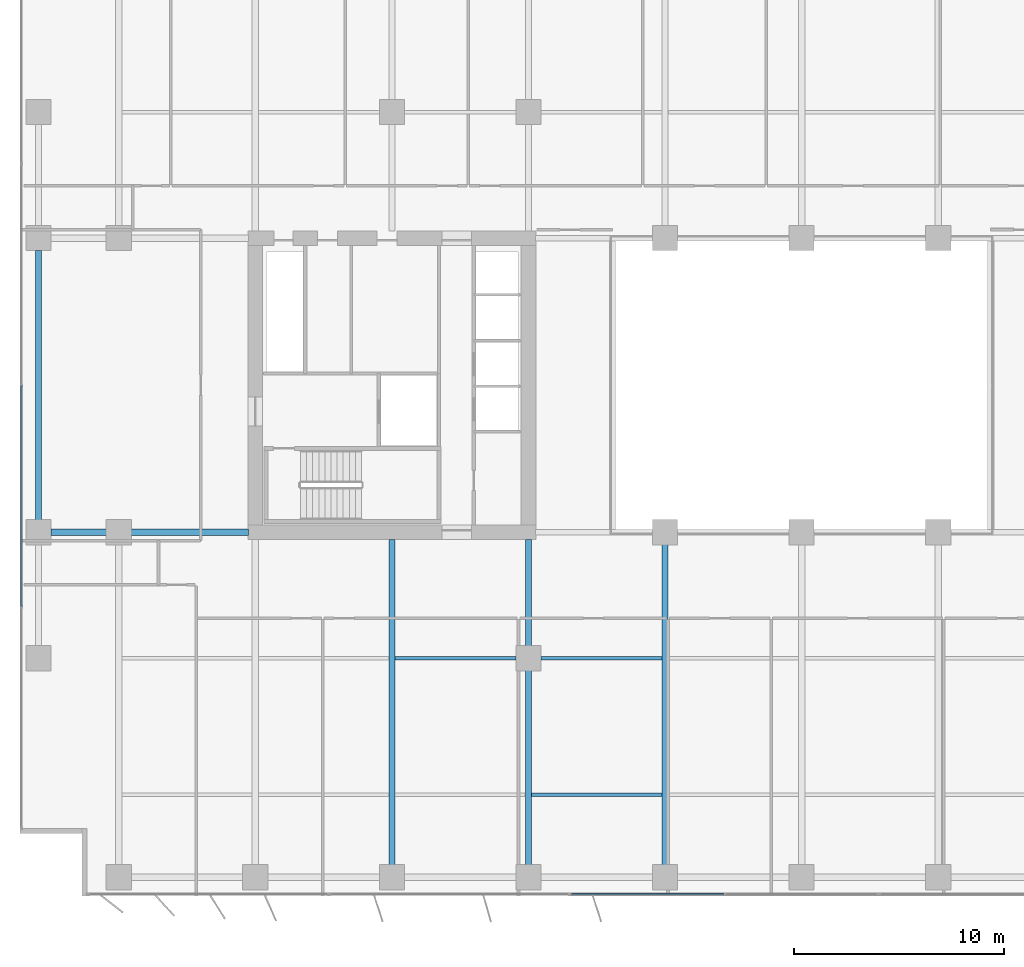
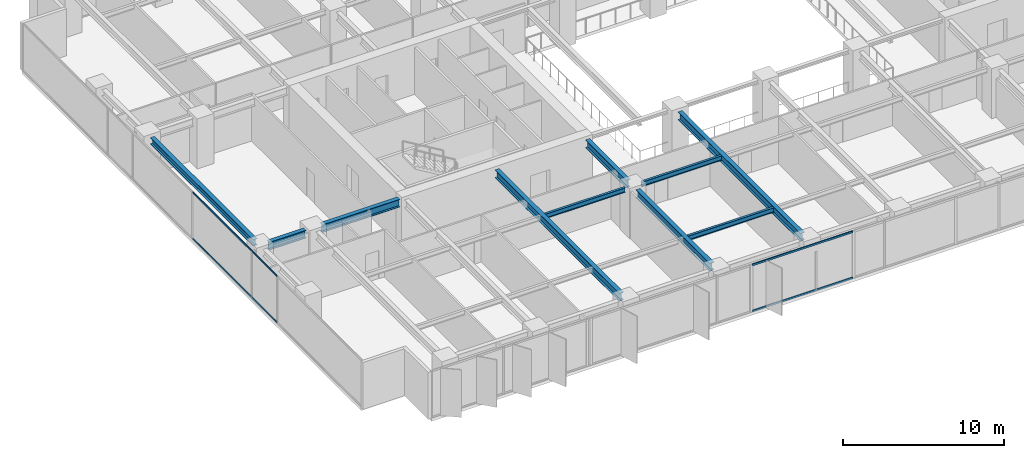
# One storey, part 3 of 20: 10 beams, 4 members, 2 elements without a shape of their own.
"""IFC4 building model written with IfcOpenShell, lengths in metres."""

from ifc_helpers import new_model, si_unit, direction, frame, origin, origin_2d, place, context, subcontext, project, spatial, rectangle, i_section, extrude, material, layer, layer_set, material_profile, profile_set, type_object, element, aggregate, save


model = new_model("IFC4")

# Units and contexts
model_context = context("Model", 3, precision=1e-05, world=origin(), true_north=direction((0.0, 1.0)))
body_context = subcontext(model_context, "Body", "Model", "MODEL_VIEW")
ifc_project = project(units=[si_unit("LENGTHUNIT", "METRE"), si_unit("AREAUNIT", "SQUARE_METRE"), si_unit("VOLUMEUNIT", "CUBIC_METRE"), si_unit("PLANEANGLEUNIT", "RADIAN"), si_unit("MASSUNIT", "GRAM", prefix="KILO")], contexts=[model_context])

# Site, building, storey
site_placement = place(None, origin())
site = spatial("IfcSite", under=ifc_project, at=site_placement, CompositionType="ELEMENT")
building_placement = place(site_placement, origin())
building = spatial("IfcBuilding", under=site, at=building_placement, Name="Putna Gate Headquarters", CompositionType="ELEMENT")
storey_placement = place(building_placement, frame((0.0, 0.0, 127.800048828125)))
storey = spatial("IfcBuildingStorey", under=building, at=storey_placement, Name="L31", CompositionType="ELEMENT", Elevation=127.800048828125)

# Beams
ifc_material_1 = material(Name="Steel S355J2", Category="steel")
ifc_material_profile_1 = material_profile(ifc_material_1, i_section(OverallWidth=0.300048828125, OverallDepth=0.60009765625, WebThickness=0.015380859375, FlangeThickness=0.030029296875, at=origin_2d()), Name="Steel S355J2")
ifc_profile_set_1 = profile_set([ifc_material_profile_1], Name="Steel S355J2")
beam_type_1 = type_object("IfcBeamType", Name="BM-GIRD-Z2-HEB600", PredefinedType="USERDEFINED", material=ifc_profile_set_1)
beam_1_placement = place(storey_placement, frame((3.26806640625, 19.0, 3.264892578125), z_axis=(1.0, 0.0, 0.0), x_axis=(0.0, 1.0, 0.0)))
element("IfcBeam", 1, at=beam_1_placement, inside=storey, type_object=beam_type_1, Name="L31 West Wing Girder Y19-1", ObjectType="GIRDER", PredefinedType="USERDEFINED", context=body_context, shape_type="SweptSolid", body=[
    extrude(i_section(OverallWidth=0.300048828125, OverallDepth=0.60009765625, WebThickness=0.015380859375, FlangeThickness=0.030029296875, at=origin_2d()), origin(), (0.0, 0.0, 1.0), 2.64404296875),
])
beam_2_placement = place(storey_placement, frame((7.087890625, 19.0, 3.264892578125), z_axis=(1.0, 0.0, 0.0), x_axis=(0.0, 1.0, 0.0)))
element("IfcBeam", 2, at=beam_2_placement, inside=storey, type_object=beam_type_1, Name="L31 West Wing Girder Y19-2", ObjectType="GIRDER", PredefinedType="USERDEFINED", context=body_context, shape_type="SweptSolid", body=[
    extrude(i_section(OverallWidth=0.300048828125, OverallDepth=0.60009765625, WebThickness=0.015380859375, FlangeThickness=0.030029296875, at=origin_2d()), origin(), (0.0, 0.0, 1.0), 5.5771484375),
])
beam_3_placement = place(storey_placement, frame((19.5, 3.16796875, 3.264892578125), z_axis=(0.0, 1.0, 0.0), x_axis=(-1.0, 0.0, 0.0)))
element("IfcBeam", 3, at=beam_3_placement, inside=storey, type_object=beam_type_1, Name="L31 South Primary Girder X19", ObjectType="GIRDER", PredefinedType="USERDEFINED", context=body_context, shape_type="SweptSolid", body=[
    extrude(i_section(OverallWidth=0.300048828125, OverallDepth=0.60009765625, WebThickness=0.015380859375, FlangeThickness=0.030029296875, at=origin_2d()), origin(), (0.0, 0.0, 1.0), 15.4970703125),
])
beam_4_placement = place(storey_placement, frame((26.0, 3.16796875, 3.264892578125), z_axis=(0.0, 1.0, 0.0), x_axis=(-1.0, 0.0, 0.0)))
element("IfcBeam", 4, at=beam_4_placement, inside=storey, type_object=beam_type_1, Name="L31 South Primary Girder X26-1", ObjectType="GIRDER", PredefinedType="USERDEFINED", context=body_context, shape_type="SweptSolid", body=[
    extrude(i_section(OverallWidth=0.300048828125, OverallDepth=0.60009765625, WebThickness=0.015380859375, FlangeThickness=0.030029296875, at=origin_2d()), origin(), (0.0, 0.0, 1.0), 9.244140625),
])
beam_5_placement = place(storey_placement, frame((26.0, 13.587890625, 3.264892578125), z_axis=(0.0, 1.0, 0.0), x_axis=(-1.0, 0.0, 0.0)))
element("IfcBeam", 5, at=beam_5_placement, inside=storey, type_object=beam_type_1, Name="L31 South Primary Girder X26-2", ObjectType="GIRDER", PredefinedType="USERDEFINED", context=body_context, shape_type="SweptSolid", body=[
    extrude(i_section(OverallWidth=0.300048828125, OverallDepth=0.60009765625, WebThickness=0.015380859375, FlangeThickness=0.030029296875, at=origin_2d()), origin(), (0.0, 0.0, 1.0), 5.0771484375),
])
beam_6_placement = place(storey_placement, frame((32.5, 3.16796875, 3.264892578125), z_axis=(0.0, 1.0, 0.0), x_axis=(-1.0, 0.0, 0.0)))
element("IfcBeam", 6, at=beam_6_placement, inside=storey, type_object=beam_type_1, Name="L31 South Primary Girder X32", ObjectType="GIRDER", PredefinedType="USERDEFINED", context=body_context, shape_type="SweptSolid", body=[
    extrude(i_section(OverallWidth=0.300048828125, OverallDepth=0.60009765625, WebThickness=0.015380859375, FlangeThickness=0.030029296875, at=origin_2d()), origin(), (0.0, 0.0, 1.0), 15.244140625),
])
ifc_material_profile_2 = material_profile(ifc_material_1, i_section(OverallWidth=0.169921875, OverallDepth=0.360107421875, WebThickness=0.008056640625, FlangeThickness=0.0126953125, at=origin_2d()), Name="Steel S355J2")
ifc_profile_set_2 = profile_set([ifc_material_profile_2], Name="Steel S355J2")
beam_type_2 = type_object("IfcBeamType", Name="BM-SEC-Z2-IPE360", PredefinedType="BEAM", material=ifc_profile_set_2)
beam_7_placement = place(storey_placement, frame((19.654052734375, 13.0, 3.385009765625), z_axis=(1.0, 0.0, 0.0), x_axis=(0.0, 1.0, 0.0)))
element("IfcBeam", 7, at=beam_7_placement, inside=storey, type_object=beam_type_2, Name="L31 South Secondary Beam 3", PredefinedType="BEAM", context=body_context, shape_type="SweptSolid", body=[
    extrude(i_section(OverallWidth=0.169921875, OverallDepth=0.360107421875, WebThickness=0.008056640625, FlangeThickness=0.0126953125, at=origin_2d()), origin(), (0.0, 0.0, 1.0), 5.758056640625),
])
beam_8_placement = place(storey_placement, frame((26.154052734375, 6.5, 3.385009765625), z_axis=(1.0, 0.0, 0.0), x_axis=(0.0, 1.0, 0.0)))
element("IfcBeam", 8, at=beam_8_placement, inside=storey, type_object=beam_type_2, Name="L31 South Secondary Beam 4", PredefinedType="BEAM", context=body_context, shape_type="SweptSolid", body=[
    extrude(i_section(OverallWidth=0.169921875, OverallDepth=0.360107421875, WebThickness=0.008056640625, FlangeThickness=0.0126953125, at=origin_2d()), origin(), (0.0, 0.0, 1.0), 6.19189453125),
])
beam_9_placement = place(storey_placement, frame((26.587890625, 13.0, 3.385009765625), z_axis=(1.0, 0.0, 0.0), x_axis=(0.0, 1.0, 0.0)))
element("IfcBeam", 9, at=beam_9_placement, inside=storey, type_object=beam_type_2, Name="L31 South Secondary Beam 4", PredefinedType="BEAM", context=body_context, shape_type="SweptSolid", body=[
    extrude(i_section(OverallWidth=0.169921875, OverallDepth=0.360107421875, WebThickness=0.008056640625, FlangeThickness=0.0126953125, at=origin_2d()), origin(), (0.0, 0.0, 1.0), 5.758056640625),
])
ifc_material_profile_3 = material_profile(ifc_material_1, i_section(OverallWidth=0.300048828125, OverallDepth=0.489990234375, WebThickness=0.011962890625, FlangeThickness=0.02294921875, at=origin_2d()), Name="Steel S355J2")
ifc_profile_set_3 = profile_set([ifc_material_profile_3], Name="Steel S355J2")
beam_type_3 = type_object("IfcBeamType", Name="BM-SPAN-Z2-HEA500", PredefinedType="SPANDREL", material=ifc_profile_set_3)
beam_10_placement = place(storey_placement, frame((2.679931640625, 19.587890625, 3.320068359375), z_axis=(0.0, 1.0, 0.0), x_axis=(-1.0, 0.0, 0.0)))
element("IfcBeam", 10, at=beam_10_placement, inside=storey, type_object=beam_type_3, Name="L31 W End Spandrel 2", PredefinedType="SPANDREL", context=body_context, shape_type="SweptSolid", body=[
    extrude(i_section(OverallWidth=0.300048828125, OverallDepth=0.489990234375, WebThickness=0.011962890625, FlangeThickness=0.02294921875, at=origin_2d()), origin(), (0.0, 0.0, 1.0), 12.82421875),
])

# Curtain wall, members
ifc_material_2 = material(Name="Anodised bronze aluminium curtain wall", Category="aluminium")
ifc_layer_1 = layer(ifc_material_2, 0.159912109375)
ifc_layer_set_1 = layer_set([ifc_layer_1], Name="Anodised bronze aluminium curtain wall")
curtain_wall_type_1 = type_object("IfcCurtainWallType", Name="CW-SYS-Z2", PredefinedType="USERDEFINED", material=ifc_layer_set_1)
curtain_wall_1_placement = place(storey_placement, origin())
curtain_wall_1 = element("IfcCurtainWall", 11, at=curtain_wall_1_placement, inside=storey, type_object=curtain_wall_type_1, Name="L31 West Curtain Wall", ObjectType="STICK CURTAIN WALL", PredefinedType="USERDEFINED")
ifc_material_3 = material(Name="Anodised bronze aluminium EN AW-6060", Category="aluminium")
ifc_material_profile_4 = material_profile(ifc_material_3, rectangle(XDim=0.06494140625, YDim=0.1201171875, at=origin_2d()), Name="Anodised bronze aluminium EN AW-6060")
ifc_profile_set_4 = profile_set([ifc_material_profile_4], Name="Anodised bronze aluminium EN AW-6060")
member_type_1 = type_object("IfcMemberType", Name="TRAN-CWT-2", PredefinedType="USERDEFINED", material=ifc_profile_set_4)
member_1_placement = place(storey_placement, frame((1.8798828125, 15.482421875, 0.032470703125), z_axis=(0.0, 1.0, 0.0), x_axis=(-1.0, 0.0, 0.0)))
member_1 = element("IfcMember", 12, at=member_1_placement, type_object=member_type_1, Name="CWS-2 transom 2.1", ObjectType="TRANSOM", PredefinedType="USERDEFINED", context=body_context, shape_type="SweptSolid", body=[
    extrude(rectangle(XDim=0.06494140625, YDim=0.1201171875, at=origin_2d()), origin(), (0.0, 0.0, 1.0), 10.485107421875),
])
member_2_placement = place(storey_placement, frame((1.8798828125, 15.482421875, 3.532470703125), z_axis=(0.0, 1.0, 0.0), x_axis=(-1.0, 0.0, 0.0)))
member_2 = element("IfcMember", 13, at=member_2_placement, type_object=member_type_1, Name="CWS-2 transom 2.2", ObjectType="TRANSOM", PredefinedType="USERDEFINED", context=body_context, shape_type="SweptSolid", body=[
    extrude(rectangle(XDim=0.06494140625, YDim=0.1201171875, at=origin_2d()), origin(), (0.0, 0.0, 1.0), 10.485107421875),
])
aggregate(curtain_wall_1, [member_1, member_2])

ifc_layer_2 = layer(ifc_material_2, 0.179931640625)
ifc_layer_set_2 = layer_set([ifc_layer_2], Name="Anodised bronze aluminium curtain wall")
curtain_wall_type_2 = type_object("IfcCurtainWallType", Name="CW-SYS-ATR", PredefinedType="USERDEFINED", material=ifc_layer_set_2)
curtain_wall_2_placement = place(storey_placement, origin())
curtain_wall_2 = element("IfcCurtainWall", 14, at=curtain_wall_2_placement, inside=storey, type_object=curtain_wall_type_2, Name="L31 South Atrium Clear Glazing", ObjectType="ATRIUM GLAZING", PredefinedType="USERDEFINED")
ifc_material_profile_5 = material_profile(ifc_material_3, rectangle(XDim=0.070068359375, YDim=0.139892578125, at=origin_2d()), Name="Anodised bronze aluminium EN AW-6060")
ifc_profile_set_5 = profile_set([ifc_material_profile_5], Name="Anodised bronze aluminium EN AW-6060")
member_type_2 = type_object("IfcMemberType", Name="TRAN-CWT-AT", PredefinedType="USERDEFINED", material=ifc_profile_set_5)
member_3_placement = place(storey_placement, frame((28.070068359375, 1.780029296875, 0.034912109375), z_axis=(1.0, 0.0, 0.0), x_axis=(0.0, 1.0, 0.0)))
member_3 = element("IfcMember", 15, at=member_3_placement, type_object=member_type_2, Name="CWS-AT transom 1.1", ObjectType="TRANSOM", PredefinedType="USERDEFINED", context=body_context, shape_type="SweptSolid", body=[
    extrude(rectangle(XDim=0.070068359375, YDim=0.139892578125, at=origin_2d()), origin(), (0.0, 0.0, 1.0), 7.228271484375),
])
member_4_placement = place(storey_placement, frame((28.070068359375, 1.780029296875, 3.530029296875), z_axis=(1.0, 0.0, 0.0), x_axis=(0.0, 1.0, 0.0)))
member_4 = element("IfcMember", 16, at=member_4_placement, type_object=member_type_2, Name="CWS-AT transom 1.2", ObjectType="TRANSOM", PredefinedType="USERDEFINED", context=body_context, shape_type="SweptSolid", body=[
    extrude(rectangle(XDim=0.070068359375, YDim=0.139892578125, at=origin_2d()), origin(), (0.0, 0.0, 1.0), 7.228271484375),
])
aggregate(curtain_wall_2, [member_3, member_4])

save(model, "model.ifc")
